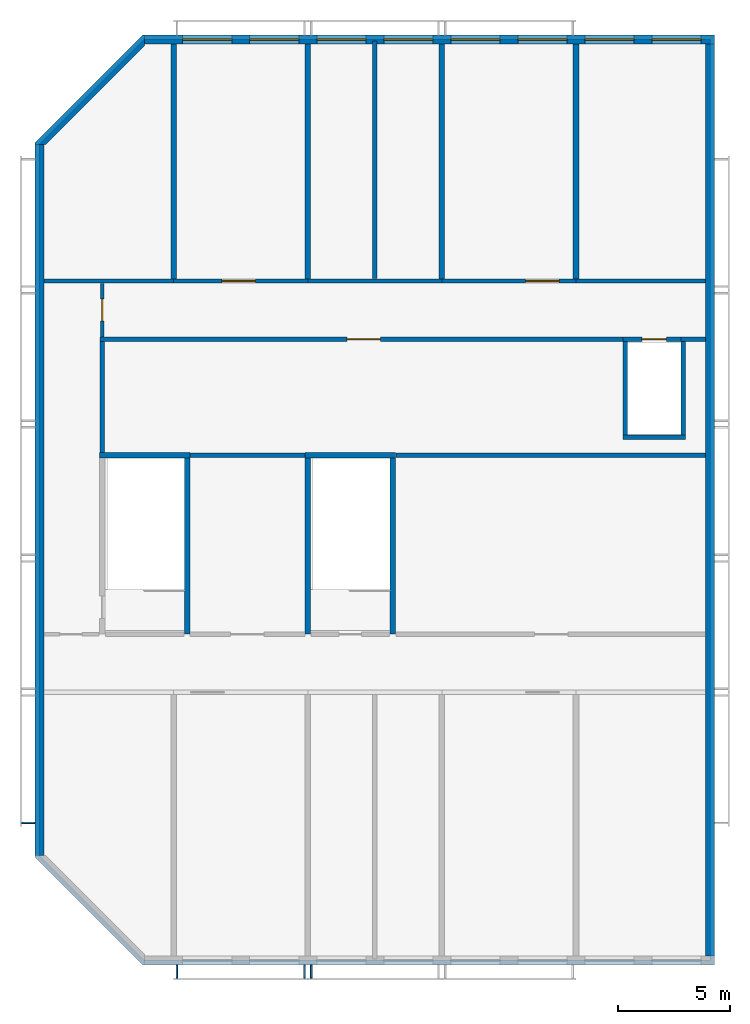
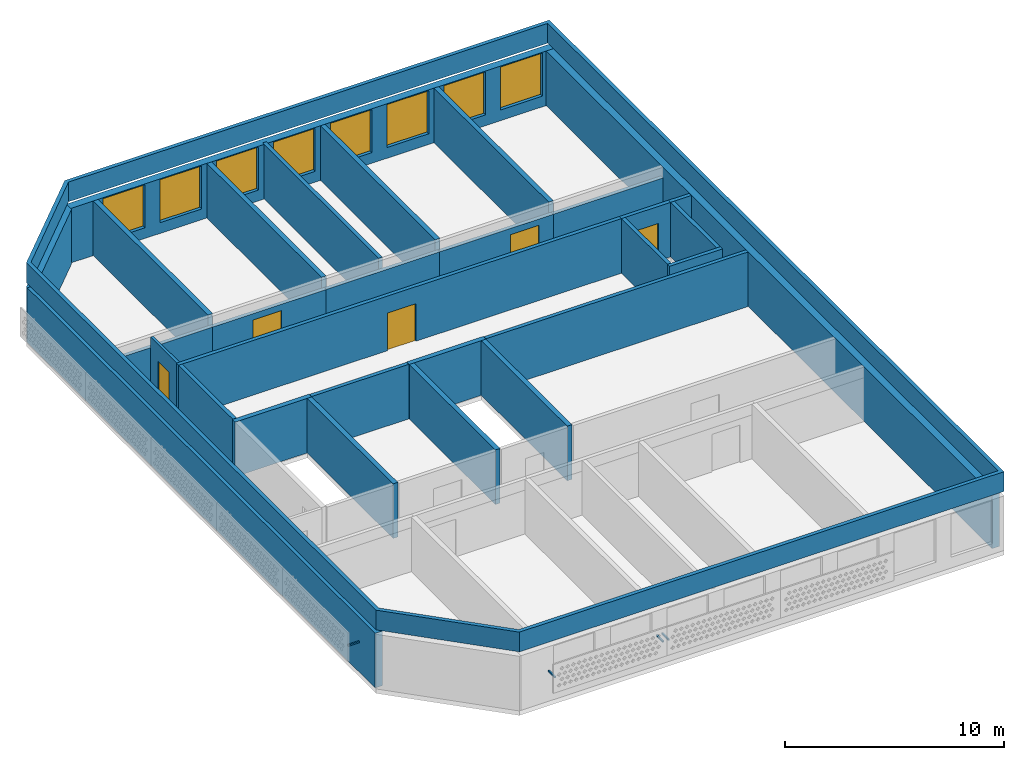
# One storey, part 2 of 7: 30 walls, 8 windows, 5 doors, 4 discrete accessories, 13 openings.
"""IFC4 building model written with IfcOpenShell, lengths in metres."""

from ifc_helpers import new_model, si_unit, direction, frame, frame_2d, origin, origin_2d, place, context, subcontext, project, spatial, polyline, rectangle, outline, extrude, source, transform, mapped, material, layer, layer_set, material_profile, profile_set, type_object, element, fill, save


model = new_model("IFC4")

# Units and contexts
model_context = context("Model", 3, precision=1e-05, world=origin(), true_north=direction((0.0, 1.0)))
body_context = subcontext(model_context, "Body", "Model", "MODEL_VIEW")
ifc_project = project(units=[si_unit("LENGTHUNIT", "METRE"), si_unit("AREAUNIT", "SQUARE_METRE"), si_unit("VOLUMEUNIT", "CUBIC_METRE"), si_unit("PLANEANGLEUNIT", "RADIAN"), si_unit("MASSUNIT", "GRAM", prefix="KILO")], contexts=[model_context])

# Site, building, storey
site_placement = place(None, origin())
site = spatial("IfcSite", under=ifc_project, at=site_placement, CompositionType="ELEMENT")
building_placement = place(site_placement, origin())
building = spatial("IfcBuilding", under=site, at=building_placement, Name="Poui Terraces", CompositionType="ELEMENT")
storey_placement = place(building_placement, frame((0.0, 0.0, 288.89990234375)))
storey = spatial("IfcBuildingStorey", under=building, at=storey_placement, Name="L80 CROWN", CompositionType="ELEMENT", Elevation=288.89990234375)

# Wall, opening, door
ifc_material_1 = material(Name="Fire-rated plasterboard wall")
ifc_layer_1 = layer(ifc_material_1, 0.14990234375)
ifc_layer_set_1 = layer_set([ifc_layer_1], Name="Fire-rated plasterboard wall")
wall_type_1 = type_object("IfcWallType", Name="CORRIDOR WALL 150", PredefinedType="PARTITIONING", material=ifc_layer_set_1)
wall_1_placement = place(storey_placement, frame((20.800048828125, 27.89990234375, 0.0), z_axis=(0.0, 0.0, 1.0), x_axis=(0.0, 1.0, 0.0)))
wall_1 = element("IfcWall", 1, at=wall_1_placement, inside=storey, type_object=wall_type_1, Name="CORRIDOR WALL 150", PredefinedType="PARTITIONING", context=body_context, shape_type="SweptSolid", body=[
    extrude(rectangle(XDim=2.39013671875, YDim=0.14990234375, at=frame_2d((1.195068359375, 0.0))), origin(), (0.0, 0.0, 1.0), 3.050048828125),
])
opening_1_placement = place(wall_1_placement, frame((0.699951171875, 0.0, 0.0)))
opening_1 = element("IfcOpeningElement", 2, at=opening_1_placement, cuts=wall_1, Name="Opening FDL", PredefinedType="OPENING", context=body_context, shape_type="SweptSolid", body=[
    extrude(rectangle(XDim=1.0, YDim=2.10009765625, at=frame_2d((0.5, 1.050048828125))), frame((0.0, 0.0849609375, 0.0), z_axis=(0.0, -1.0, 0.0), x_axis=(1.0, 0.0, 0.0)), (0.0, 0.0, 1.0), 0.169921875),
])
ifc_material_2 = material(Name="Steel fire door", Category="steel")
door_type_1 = type_object("IfcDoorType", Name="LOBBY FIRE DOOR 1000 X 2100", OperationType="NOTDEFINED", PredefinedType="DOOR", material=ifc_material_2)
door_1_placement = place(opening_1_placement, origin())
door_1 = element("IfcDoor", 3, at=door_1_placement, inside=storey, type_object=door_type_1, Name="LOBBY FIRE DOOR 011", OperationType="SINGLE_SWING_RIGHT", OverallHeight=2.10009765625, OverallWidth=1.0, PredefinedType="DOOR", context=body_context, shape_type="SweptSolid", body=[
    extrude(rectangle(XDim=1.0, YDim=2.10009765625, at=frame_2d((0.5, 1.050048828125))), frame((0.0, 0.02490234375, 0.0), z_axis=(0.0, -1.0, 0.0), x_axis=(1.0, 0.0, 0.0)), (0.0, 0.0, 1.0), 0.050048828125),
])
fill(opening_1, door_1)

# Wall
ifc_material_3 = material(Name="Concrete 50 MPa", Category="concrete")
ifc_layer_2 = layer(ifc_material_3, 0.199951171875)
ifc_layer_set_2 = layer_set([ifc_layer_2], Name="Concrete 50 MPa")
wall_type_2 = type_object("IfcWallType", Name="CORRIDOR WALL 200 50MPa", PredefinedType="SHEAR", material=ifc_layer_set_2)
wall_2_placement = place(storey_placement, frame((18.199951171875, 30.39990234375, 0.0), z_axis=(0.0, 0.0, 1.0), x_axis=(1.0, 0.0, 0.0)))
element("IfcWall", 4, at=wall_2_placement, inside=storey, type_object=wall_type_2, Name="CORRIDOR WALL LINE E BAY W1", PredefinedType="SHEAR", context=body_context, shape_type="SweptSolid", body=[
    extrude(rectangle(XDim=5.800048828125, YDim=0.199951171875, at=frame_2d((2.89990234375, 0.0))), origin(), (0.0, 0.0, 1.0), 2.4501953125),
])

# Wall, opening, door
wall_3_placement = place(storey_placement, frame((24.0, 30.39990234375, 0.0), z_axis=(0.0, 0.0, 1.0), x_axis=(1.0, 0.0, 0.0)))
wall_3 = element("IfcWall", 5, at=wall_3_placement, inside=storey, type_object=wall_type_2, Name="CORRIDOR WALL LINE E BAY W2", PredefinedType="SHEAR", context=body_context, shape_type="SweptSolid", body=[
    extrude(rectangle(XDim=6.0, YDim=0.199951171875, at=frame_2d((3.0, 0.0))), origin(), (0.0, 0.0, 1.0), 2.4501953125),
])
opening_2_placement = place(wall_3_placement, frame((2.14990234375, 0.0, 0.0)))
opening_2 = element("IfcOpeningElement", 6, at=opening_2_placement, cuts=wall_3, Name="Opening FDP", PredefinedType="OPENING", context=body_context, shape_type="SweptSolid", body=[
    extrude(rectangle(XDim=1.5, YDim=2.10009765625, at=frame_2d((0.75, 1.050048828125))), frame((0.0, 0.10986328125, 0.0), z_axis=(0.0, -1.0, 0.0), x_axis=(1.0, 0.0, 0.0)), (0.0, 0.0, 1.0), 0.219970703125),
])
door_type_2 = type_object("IfcDoorType", Name="PLANT ROOM DOOR PAIR 1500 X 2100", OperationType="DOUBLE_DOOR_SINGLE_SWING", PredefinedType="DOOR", material=ifc_material_2)
door_2_placement = place(opening_2_placement, frame((1.5, 0.0, 0.0), z_axis=(0.0, 0.0, 1.0), x_axis=(-1.0, 0.0, 0.0)))
door_2 = element("IfcDoor", 7, at=door_2_placement, inside=storey, type_object=door_type_2, Name="PLANT ROOM DOOR PAIR 001", OperationType="DOUBLE_DOOR_SINGLE_SWING", OverallHeight=2.10009765625, OverallWidth=1.5, PredefinedType="DOOR", context=body_context, shape_type="SweptSolid", body=[
    extrude(rectangle(XDim=1.5, YDim=2.10009765625, at=frame_2d((0.75, 1.050048828125))), frame((0.0, 0.02490234375, 0.0), z_axis=(0.0, -1.0, 0.0), x_axis=(1.0, 0.0, 0.0)), (0.0, 0.0, 1.0), 0.050048828125),
])
fill(opening_2, door_2)

# Wall
wall_4_placement = place(storey_placement, frame((30.0, 30.39990234375, 0.0), z_axis=(0.0, 0.0, 1.0), x_axis=(1.0, 0.0, 0.0)))
element("IfcWall", 8, at=wall_4_placement, inside=storey, type_object=wall_type_2, Name="CORRIDOR WALL LINE E BAY W3", PredefinedType="SHEAR", context=body_context, shape_type="SweptSolid", body=[
    extrude(rectangle(XDim=6.0, YDim=0.199951171875, at=frame_2d((3.0, 0.0))), origin(), (0.0, 0.0, 1.0), 2.4501953125),
])

# Wall, opening, door
wall_5_placement = place(storey_placement, frame((36.0, 30.39990234375, 0.0), z_axis=(0.0, 0.0, 1.0), x_axis=(1.0, 0.0, 0.0)))
wall_5 = element("IfcWall", 9, at=wall_5_placement, inside=storey, type_object=wall_type_2, Name="CORRIDOR WALL LINE E BAY W4", PredefinedType="SHEAR", context=body_context, shape_type="SweptSolid", body=[
    extrude(rectangle(XDim=6.0, YDim=0.199951171875, at=frame_2d((3.0, 0.0))), origin(), (0.0, 0.0, 1.0), 2.4501953125),
])
opening_3_placement = place(wall_5_placement, frame((3.75, 0.0, 0.0)))
opening_3 = element("IfcOpeningElement", 10, at=opening_3_placement, cuts=wall_5, Name="Opening FDP", PredefinedType="OPENING", context=body_context, shape_type="SweptSolid", body=[
    extrude(rectangle(XDim=1.5, YDim=2.10009765625, at=frame_2d((0.75, 1.050048828125))), frame((0.0, 0.10986328125, 0.0), z_axis=(0.0, -1.0, 0.0), x_axis=(1.0, 0.0, 0.0)), (0.0, 0.0, 1.0), 0.219970703125),
])
door_3_placement = place(opening_3_placement, frame((1.5, 0.0, 0.0), z_axis=(0.0, 0.0, 1.0), x_axis=(-1.0, 0.0, 0.0)))
door_3 = element("IfcDoor", 11, at=door_3_placement, inside=storey, type_object=door_type_2, Name="PLANT ROOM DOOR PAIR 003", OperationType="DOUBLE_DOOR_SINGLE_SWING", OverallHeight=2.10009765625, OverallWidth=1.5, PredefinedType="DOOR", context=body_context, shape_type="SweptSolid", body=[
    extrude(rectangle(XDim=1.5, YDim=2.10009765625, at=frame_2d((0.75, 1.050048828125))), frame((0.0, 0.02490234375, 0.0), z_axis=(0.0, -1.0, 0.0), x_axis=(1.0, 0.0, 0.0)), (0.0, 0.0, 1.0), 0.050048828125),
])
fill(opening_3, door_3)

# Walls
wall_6_placement = place(storey_placement, frame((42.0, 30.39990234375, 0.0), z_axis=(0.0, 0.0, 1.0), x_axis=(1.0, 0.0, 0.0)))
element("IfcWall", 12, at=wall_6_placement, inside=storey, type_object=wall_type_2, Name="CORRIDOR WALL LINE E BAY W5", PredefinedType="SHEAR", context=body_context, shape_type="SweptSolid", body=[
    extrude(rectangle(XDim=5.800048828125, YDim=0.199951171875, at=frame_2d((2.89990234375, 0.0))), origin(), (0.0, 0.0, 1.0), 2.4501953125),
])
ifc_layer_3 = layer(ifc_material_3, 0.25)
ifc_layer_set_3 = layer_set([ifc_layer_3], Name="Concrete 50 MPa")
wall_type_3 = type_object("IfcWallType", Name="CROSS WALL 250 50MPa", PredefinedType="SHEAR", material=ifc_layer_set_3)
for number, where, z_axis, x_axis, name in (
    (13, (24.0, 30.5, 0.0), (0.0, 0.0, 1.0), (0.0, 1.0, 0.0), "CROSS WALL LINE 5 NORTH"),
    (14, (30.0, 30.5, 0.0), (0.0, 0.0, 1.0), (0.0, 1.0, 0.0), "CROSS WALL LINE 6 NORTH"),
    (15, (36.0, 30.5, 0.0), (0.0, 0.0, 1.0), (0.0, 1.0, 0.0), "CROSS WALL LINE 7 NORTH"),
    (16, (42.0, 30.5, 0.0), (0.0, 0.0, 1.0), (0.0, 1.0, 0.0), "CROSS WALL LINE 8 NORTH"),
):
    element("IfcWall", number, at=place(storey_placement, frame(where, z_axis=z_axis, x_axis=x_axis)), inside=storey, type_object=wall_type_3, Name=name, PredefinedType="SHEAR", context=body_context, shape_type="SweptSolid", body=[
        extrude(rectangle(XDim=10.5, YDim=0.25, at=frame_2d((5.25, 0.0))), origin(), (0.0, 0.0, 1.0), 3.050048828125),
    ])
ifc_layer_4 = layer(ifc_material_3, 0.39990234375)
ifc_layer_set_4 = layer_set([ifc_layer_4], Name="Concrete 50 MPa")
wall_type_4 = type_object("IfcWallType", Name="END WALL 400 50MPa", PredefinedType="SHEAR", material=ifc_layer_set_4)
wall_7_placement = place(storey_placement, frame((18.0, 4.682861328125, 0.0), z_axis=(0.0, 0.0, 1.0), x_axis=(0.0, 1.0, 0.0)))
element("IfcWall", 17, at=wall_7_placement, inside=storey, type_object=wall_type_4, Name="END WALL LINE 4", PredefinedType="SHEAR", context=body_context, shape_type="SweptSolid", body=[
    extrude(rectangle(XDim=31.834228515625, YDim=0.39990234375, at=frame_2d((15.9169921875, 0.0))), origin(), (0.0, 0.0, 1.0), 3.050048828125),
])
wall_8_placement = place(storey_placement, frame((48.0, 0.199951171875, 0.0), z_axis=(0.0, 0.0, 1.0), x_axis=(0.0, 1.0, 0.0)))
element("IfcWall", 18, at=wall_8_placement, inside=storey, type_object=wall_type_4, Name="END WALL LINE 9", PredefinedType="SHEAR", context=body_context, shape_type="SweptSolid", body=[
    extrude(rectangle(XDim=40.800048828125, YDim=0.39990234375, at=frame_2d((20.39990234375, 0.0))), origin(), (0.0, 0.0, 1.0), 3.050048828125),
])

# Wall, openings, windows
ifc_material_4 = material(Name="Precast concrete 40 MPa", Category="concrete")
ifc_layer_5 = layer(ifc_material_4, 0.39990234375)
ifc_layer_set_5 = layer_set([ifc_layer_5], Name="Precast concrete 40 MPa")
wall_type_5 = type_object("IfcWallType", Name="EXTERNAL WALL 400", PredefinedType="STANDARD", material=ifc_layer_set_5)
wall_9_placement = place(storey_placement, frame((48.199951171875, 41.199951171875, 0.0), z_axis=(0.0, 0.0, 1.0), x_axis=(-1.0, 0.0, 0.0)))
wall_9 = element("IfcWall", 19, at=wall_9_placement, inside=storey, type_object=wall_type_5, Name="EXTERNAL WALL N", PredefinedType="STANDARD", context=body_context, shape_type="SweptSolid", body=[
    extrude(rectangle(XDim=25.51708984375, YDim=0.39990234375, at=frame_2d((12.758544921875, 0.0))), origin(), (0.0, 0.0, 1.0), 3.050048828125),
])
opening_4_placement = place(wall_9_placement, frame((21.60009765625, 0.0, 0.60009765625)))
opening_4 = element("IfcOpeningElement", 20, at=opening_4_placement, cuts=wall_9, Name="Opening W5", PredefinedType="OPENING", context=body_context, shape_type="SweptSolid", body=[
    extrude(rectangle(XDim=2.199951171875, YDim=2.39990234375, at=frame_2d((1.10009765625, 1.199951171875))), frame((0.0, 0.2099609375, 0.0), z_axis=(0.0, -1.0, 0.0), x_axis=(1.0, 0.0, 0.0)), (0.0, 0.0, 1.0), 0.419921875),
])
opening_5_placement = place(wall_9_placement, frame((18.60009765625, 0.0, 0.60009765625)))
opening_5 = element("IfcOpeningElement", 21, at=opening_5_placement, cuts=wall_9, Name="Opening W5", PredefinedType="OPENING", context=body_context, shape_type="SweptSolid", body=[
    extrude(rectangle(XDim=2.199951171875, YDim=2.39990234375, at=frame_2d((1.10009765625, 1.199951171875))), frame((0.0, 0.2099609375, 0.0), z_axis=(0.0, -1.0, 0.0), x_axis=(1.0, 0.0, 0.0)), (0.0, 0.0, 1.0), 0.419921875),
])
opening_6_placement = place(wall_9_placement, frame((15.60009765625, 0.0, 0.60009765625)))
opening_6 = element("IfcOpeningElement", 22, at=opening_6_placement, cuts=wall_9, Name="Opening W5", PredefinedType="OPENING", context=body_context, shape_type="SweptSolid", body=[
    extrude(rectangle(XDim=2.199951171875, YDim=2.39990234375, at=frame_2d((1.10009765625, 1.199951171875))), frame((0.0, 0.2099609375, 0.0), z_axis=(0.0, -1.0, 0.0), x_axis=(1.0, 0.0, 0.0)), (0.0, 0.0, 1.0), 0.419921875),
])
opening_7_placement = place(wall_9_placement, frame((12.60009765625, 0.0, 0.60009765625)))
opening_7 = element("IfcOpeningElement", 23, at=opening_7_placement, cuts=wall_9, Name="Opening W5", PredefinedType="OPENING", context=body_context, shape_type="SweptSolid", body=[
    extrude(rectangle(XDim=2.199951171875, YDim=2.39990234375, at=frame_2d((1.10009765625, 1.199951171875))), frame((0.0, 0.2099609375, 0.0), z_axis=(0.0, -1.0, 0.0), x_axis=(1.0, 0.0, 0.0)), (0.0, 0.0, 1.0), 0.419921875),
])
opening_8_placement = place(wall_9_placement, frame((9.60009765625, 0.0, 0.60009765625)))
opening_8 = element("IfcOpeningElement", 24, at=opening_8_placement, cuts=wall_9, Name="Opening W5", PredefinedType="OPENING", context=body_context, shape_type="SweptSolid", body=[
    extrude(rectangle(XDim=2.199951171875, YDim=2.39990234375, at=frame_2d((1.10009765625, 1.199951171875))), frame((0.0, 0.2099609375, 0.0), z_axis=(0.0, -1.0, 0.0), x_axis=(1.0, 0.0, 0.0)), (0.0, 0.0, 1.0), 0.419921875),
])
opening_9_placement = place(wall_9_placement, frame((6.60009765625, 0.0, 0.60009765625)))
opening_9 = element("IfcOpeningElement", 25, at=opening_9_placement, cuts=wall_9, Name="Opening W5", PredefinedType="OPENING", context=body_context, shape_type="SweptSolid", body=[
    extrude(rectangle(XDim=2.199951171875, YDim=2.39990234375, at=frame_2d((1.10009765625, 1.199951171875))), frame((0.0, 0.2099609375, 0.0), z_axis=(0.0, -1.0, 0.0), x_axis=(1.0, 0.0, 0.0)), (0.0, 0.0, 1.0), 0.419921875),
])
opening_10_placement = place(wall_9_placement, frame((3.60009765625, 0.0, 0.60009765625)))
opening_10 = element("IfcOpeningElement", 26, at=opening_10_placement, cuts=wall_9, Name="Opening W5", PredefinedType="OPENING", context=body_context, shape_type="SweptSolid", body=[
    extrude(rectangle(XDim=2.199951171875, YDim=2.39990234375, at=frame_2d((1.10009765625, 1.199951171875))), frame((0.0, 0.2099609375, 0.0), z_axis=(0.0, -1.0, 0.0), x_axis=(1.0, 0.0, 0.0)), (0.0, 0.0, 1.0), 0.419921875),
])
opening_11_placement = place(wall_9_placement, frame((0.60009765625, 0.0, 0.60009765625)))
opening_11 = element("IfcOpeningElement", 27, at=opening_11_placement, cuts=wall_9, Name="Opening W5", PredefinedType="OPENING", context=body_context, shape_type="SweptSolid", body=[
    extrude(rectangle(XDim=2.199951171875, YDim=2.39990234375, at=frame_2d((1.10009765625, 1.199951171875))), frame((0.0, 0.2099609375, 0.0), z_axis=(0.0, -1.0, 0.0), x_axis=(1.0, 0.0, 0.0)), (0.0, 0.0, 1.0), 0.419921875),
])
ifc_material_5 = material(Name="Clear glass in aluminium frame", Category="aluminium")
window_type = type_object("IfcWindowType", Name="WINDOW 2200X2400", PartitioningType="TRIPLE_PANEL_HORIZONTAL", PredefinedType="WINDOW", material=ifc_material_5)
window_1_placement = place(opening_4_placement, origin())
window_1 = element("IfcWindow", 28, at=window_1_placement, inside=storey, type_object=window_type, Name="W5 WINDOW", OverallHeight=2.39990234375, OverallWidth=2.199951171875, PartitioningType="TRIPLE_PANEL_HORIZONTAL", PredefinedType="WINDOW", context=body_context, shape_type="SweptSolid", body=[
    extrude(rectangle(XDim=2.199951171875, YDim=2.39990234375, at=frame_2d((1.10009765625, 1.199951171875))), frame((0.0, 0.030029296875, 0.0), z_axis=(0.0, -1.0, 0.0), x_axis=(1.0, 0.0, 0.0)), (0.0, 0.0, 1.0), 0.06005859375),
])
fill(opening_4, window_1)
window_2_placement = place(opening_5_placement, origin())
window_2 = element("IfcWindow", 29, at=window_2_placement, inside=storey, type_object=window_type, Name="W5 WINDOW", OverallHeight=2.39990234375, OverallWidth=2.199951171875, PartitioningType="TRIPLE_PANEL_HORIZONTAL", PredefinedType="WINDOW", context=body_context, shape_type="SweptSolid", body=[
    extrude(rectangle(XDim=2.199951171875, YDim=2.39990234375, at=frame_2d((1.10009765625, 1.199951171875))), frame((0.0, 0.030029296875, 0.0), z_axis=(0.0, -1.0, 0.0), x_axis=(1.0, 0.0, 0.0)), (0.0, 0.0, 1.0), 0.06005859375),
])
fill(opening_5, window_2)
window_3_placement = place(opening_6_placement, origin())
window_3 = element("IfcWindow", 30, at=window_3_placement, inside=storey, type_object=window_type, Name="W5 WINDOW", OverallHeight=2.39990234375, OverallWidth=2.199951171875, PartitioningType="TRIPLE_PANEL_HORIZONTAL", PredefinedType="WINDOW", context=body_context, shape_type="SweptSolid", body=[
    extrude(rectangle(XDim=2.199951171875, YDim=2.39990234375, at=frame_2d((1.10009765625, 1.199951171875))), frame((0.0, 0.030029296875, 0.0), z_axis=(0.0, -1.0, 0.0), x_axis=(1.0, 0.0, 0.0)), (0.0, 0.0, 1.0), 0.06005859375),
])
fill(opening_6, window_3)
window_4_placement = place(opening_7_placement, origin())
window_4 = element("IfcWindow", 31, at=window_4_placement, inside=storey, type_object=window_type, Name="W5 WINDOW", OverallHeight=2.39990234375, OverallWidth=2.199951171875, PartitioningType="TRIPLE_PANEL_HORIZONTAL", PredefinedType="WINDOW", context=body_context, shape_type="SweptSolid", body=[
    extrude(rectangle(XDim=2.199951171875, YDim=2.39990234375, at=frame_2d((1.10009765625, 1.199951171875))), frame((0.0, 0.030029296875, 0.0), z_axis=(0.0, -1.0, 0.0), x_axis=(1.0, 0.0, 0.0)), (0.0, 0.0, 1.0), 0.06005859375),
])
fill(opening_7, window_4)
window_5_placement = place(opening_8_placement, origin())
window_5 = element("IfcWindow", 32, at=window_5_placement, inside=storey, type_object=window_type, Name="W5 WINDOW", OverallHeight=2.39990234375, OverallWidth=2.199951171875, PartitioningType="TRIPLE_PANEL_HORIZONTAL", PredefinedType="WINDOW", context=body_context, shape_type="SweptSolid", body=[
    extrude(rectangle(XDim=2.199951171875, YDim=2.39990234375, at=frame_2d((1.10009765625, 1.199951171875))), frame((0.0, 0.030029296875, 0.0), z_axis=(0.0, -1.0, 0.0), x_axis=(1.0, 0.0, 0.0)), (0.0, 0.0, 1.0), 0.06005859375),
])
fill(opening_8, window_5)
window_6_placement = place(opening_9_placement, origin())
window_6 = element("IfcWindow", 33, at=window_6_placement, inside=storey, type_object=window_type, Name="W5 WINDOW", OverallHeight=2.39990234375, OverallWidth=2.199951171875, PartitioningType="TRIPLE_PANEL_HORIZONTAL", PredefinedType="WINDOW", context=body_context, shape_type="SweptSolid", body=[
    extrude(rectangle(XDim=2.199951171875, YDim=2.39990234375, at=frame_2d((1.10009765625, 1.199951171875))), frame((0.0, 0.030029296875, 0.0), z_axis=(0.0, -1.0, 0.0), x_axis=(1.0, 0.0, 0.0)), (0.0, 0.0, 1.0), 0.06005859375),
])
fill(opening_9, window_6)
window_7_placement = place(opening_10_placement, origin())
window_7 = element("IfcWindow", 34, at=window_7_placement, inside=storey, type_object=window_type, Name="W5 WINDOW", OverallHeight=2.39990234375, OverallWidth=2.199951171875, PartitioningType="TRIPLE_PANEL_HORIZONTAL", PredefinedType="WINDOW", context=body_context, shape_type="SweptSolid", body=[
    extrude(rectangle(XDim=2.199951171875, YDim=2.39990234375, at=frame_2d((1.10009765625, 1.199951171875))), frame((0.0, 0.030029296875, 0.0), z_axis=(0.0, -1.0, 0.0), x_axis=(1.0, 0.0, 0.0)), (0.0, 0.0, 1.0), 0.06005859375),
])
fill(opening_10, window_7)
window_8_placement = place(opening_11_placement, origin())
window_8 = element("IfcWindow", 35, at=window_8_placement, inside=storey, type_object=window_type, Name="W5 WINDOW", OverallHeight=2.39990234375, OverallWidth=2.199951171875, PartitioningType="TRIPLE_PANEL_HORIZONTAL", PredefinedType="WINDOW", context=body_context, shape_type="SweptSolid", body=[
    extrude(rectangle(XDim=2.199951171875, YDim=2.39990234375, at=frame_2d((1.10009765625, 1.199951171875))), frame((0.0, 0.030029296875, 0.0), z_axis=(0.0, -1.0, 0.0), x_axis=(1.0, 0.0, 0.0)), (0.0, 0.0, 1.0), 0.06005859375),
])
fill(opening_11, window_8)

# Walls
ifc_material_6 = material(Name="Fire-rated masonry wall", Category="masonry")
ifc_layer_6 = layer(ifc_material_6, 0.199951171875)
ifc_layer_set_6 = layer_set([ifc_layer_6], Name="Fire-rated masonry wall")
wall_type_6 = type_object("IfcWallType", Name="PLANT ROOM WALL 200", PredefinedType="PARTITIONING", material=ifc_layer_set_6)
wall_10_placement = place(storey_placement, frame((24.735107421875, 22.60009765625, 0.0), z_axis=(0.0, 0.0, 1.0), x_axis=(1.0, 0.0, 0.0)))
element("IfcWall", 36, at=wall_10_placement, inside=storey, type_object=wall_type_6, Name="PLANT ROOM WALL 200", PredefinedType="PARTITIONING", context=body_context, shape_type="SweptSolid", body=[
    extrude(rectangle(XDim=5.1298828125, YDim=0.199951171875, at=frame_2d((2.56494140625, 0.0))), origin(), (0.0, 0.0, 1.0), 3.050048828125),
])
wall_11_placement = place(storey_placement, frame((33.93505859375, 22.60009765625, 0.0), z_axis=(0.0, 0.0, 1.0), x_axis=(1.0, 0.0, 0.0)))
element("IfcWall", 37, at=wall_11_placement, inside=storey, type_object=wall_type_6, Name="PLANT ROOM WALL 200", PredefinedType="PARTITIONING", context=body_context, shape_type="SweptSolid", body=[
    extrude(rectangle(XDim=13.85498046875, YDim=0.199951171875, at=frame_2d((6.927490234375, 0.0))), origin(), (0.0, 0.0, 1.0), 3.050048828125),
])

# Wall, opening, door
wall_12_placement = place(storey_placement, frame((20.699951171875, 27.800048828125, 0.0), z_axis=(0.0, 0.0, 1.0), x_axis=(1.0, 0.0, 0.0)))
wall_12 = element("IfcWall", 38, at=wall_12_placement, inside=storey, type_object=wall_type_6, Name="PLANT ROOM WALL 200", PredefinedType="PARTITIONING", context=body_context, shape_type="SweptSolid", body=[
    extrude(rectangle(XDim=23.60009765625, YDim=0.199951171875, at=frame_2d((11.800048828125, 0.0))), origin(), (0.0, 0.0, 1.0), 3.050048828125),
])
opening_12_placement = place(wall_12_placement, frame((11.050048828125, 0.0, 0.0)))
opening_12 = element("IfcOpeningElement", 39, at=opening_12_placement, cuts=wall_12, Name="Opening FDP", PredefinedType="OPENING", context=body_context, shape_type="SweptSolid", body=[
    extrude(rectangle(XDim=1.5, YDim=2.10009765625, at=frame_2d((0.75, 1.050048828125))), frame((0.0, 0.10986328125, 0.0), z_axis=(0.0, -1.0, 0.0), x_axis=(1.0, 0.0, 0.0)), (0.0, 0.0, 1.0), 0.219970703125),
])
door_4_placement = place(opening_12_placement, origin())
door_4 = element("IfcDoor", 40, at=door_4_placement, inside=storey, type_object=door_type_2, Name="PLANT ROOM DOOR PAIR 002", OperationType="DOUBLE_DOOR_SINGLE_SWING", OverallHeight=2.10009765625, OverallWidth=1.5, PredefinedType="DOOR", context=body_context, shape_type="SweptSolid", body=[
    extrude(rectangle(XDim=1.5, YDim=2.10009765625, at=frame_2d((0.75, 1.050048828125))), frame((0.0, 0.02490234375, 0.0), z_axis=(0.0, -1.0, 0.0), x_axis=(1.0, 0.0, 0.0)), (0.0, 0.0, 1.0), 0.050048828125),
])
fill(opening_12, door_4)

# Walls
wall_13_placement = place(storey_placement, frame((46.699951171875, 27.800048828125, 0.0), z_axis=(0.0, 0.0, 1.0), x_axis=(1.0, 0.0, 0.0)))
element("IfcWall", 41, at=wall_13_placement, inside=storey, type_object=wall_type_6, Name="PLANT ROOM WALL 200", PredefinedType="PARTITIONING", context=body_context, shape_type="SweptSolid", body=[
    extrude(rectangle(XDim=1.090087890625, YDim=0.199951171875, at=frame_2d((0.544921875, 0.0))), origin(), (0.0, 0.0, 1.0), 3.050048828125),
])
wall_14_placement = place(storey_placement, frame((20.800048828125, 22.735107421875, 0.0), z_axis=(0.0, 0.0, 1.0), x_axis=(0.0, 1.0, 0.0)))
element("IfcWall", 42, at=wall_14_placement, inside=storey, type_object=wall_type_6, Name="PLANT ROOM WALL 200", PredefinedType="PARTITIONING", context=body_context, shape_type="SweptSolid", body=[
    extrude(rectangle(XDim=4.96484375, YDim=0.199951171875, at=frame_2d((2.482421875, 0.0))), origin(), (0.0, 0.0, 1.0), 3.050048828125),
])
wall_15_placement = place(storey_placement, frame((33.0, 30.510009765625, 0.0), z_axis=(0.0, 0.0, 1.0), x_axis=(0.0, 1.0, 0.0)))
element("IfcWall", 43, at=wall_15_placement, inside=storey, type_object=wall_type_6, Name="PLANT ROOM WALL 200", PredefinedType="PARTITIONING", context=body_context, shape_type="SweptSolid", body=[
    extrude(rectangle(XDim=10.6298828125, YDim=0.199951171875, at=frame_2d((5.31494140625, 0.0))), origin(), (0.0, 0.0, 1.0), 3.050048828125),
])
ifc_layer_7 = layer(ifc_material_4, 0.199951171875)
ifc_layer_set_7 = layer_set([ifc_layer_7], Name="Precast concrete 40 MPa")
wall_type_7 = type_object("IfcWallType", Name="ROOF PARAPET 200", PredefinedType="PARAPET", material=ifc_layer_set_7)
wall_16_placement = place(storey_placement, frame((0.0, 0.0, 3.300048828125)))
element("IfcWall", 44, at=wall_16_placement, inside=storey, type_object=wall_type_7, Name="ROOF PARAPET WEST PEAK", PredefinedType="PARAPET", context=body_context, shape_type="SweptSolid", body=[
    extrude(outline(polyline([(22.60009765625, -0.199951171875), (48.199951171875, -0.199951171875), (48.199951171875, 41.39990234375), (22.60009765625, 41.39990234375), (17.800048828125, 36.60009765625), (17.800048828125, 4.60009765625), (22.60009765625, -0.199951171875)]), holes=[polyline([(22.682861328125, 0.0), (18.0, 4.682861328125), (18.0, 36.51708984375), (22.682861328125, 41.199951171875), (48.0, 41.199951171875), (48.0, 0.0), (22.682861328125, 0.0)])]), origin(), (0.0, 0.0, 1.0), 1.10009765625),
])
ifc_material_7 = material(Name="Fire-rated masonry shaft wall", Category="masonry")
ifc_layer_8 = layer(ifc_material_7, 0.199951171875)
ifc_layer_set_8 = layer_set([ifc_layer_8], Name="Fire-rated masonry shaft wall")
wall_type_8 = type_object("IfcWallType", Name="SHAFT WALL 200", PredefinedType="PARTITIONING", material=ifc_layer_set_8)
wall_17_placement = place(storey_placement, frame((44.10009765625, 23.39990234375, 0.0), z_axis=(0.0, 0.0, 1.0), x_axis=(1.0, 0.0, 0.0)))
element("IfcWall", 45, at=wall_17_placement, inside=storey, type_object=wall_type_8, Name="SHAFT WALL 200", PredefinedType="PARTITIONING", context=body_context, shape_type="SweptSolid", body=[
    extrude(rectangle(XDim=2.7998046875, YDim=0.199951171875, at=frame_2d((1.39990234375, 0.0))), origin(), (0.0, 0.0, 1.0), 3.050048828125),
])

# Wall, opening, door
wall_18_placement = place(storey_placement, frame((44.10009765625, 27.800048828125, 0.0), z_axis=(0.0, 0.0, 1.0), x_axis=(1.0, 0.0, 0.0)))
wall_18 = element("IfcWall", 46, at=wall_18_placement, inside=storey, type_object=wall_type_8, Name="SHAFT WALL 200", PredefinedType="PARTITIONING", context=body_context, shape_type="SweptSolid", body=[
    extrude(rectangle(XDim=2.7998046875, YDim=0.199951171875, at=frame_2d((1.39990234375, 0.0))), origin(), (0.0, 0.0, 1.0), 3.050048828125),
])
opening_13_placement = place(wall_18_placement, frame((0.85009765625, 0.0, 0.0)))
opening_13 = element("IfcOpeningElement", 47, at=opening_13_placement, cuts=wall_18, Name="Opening LD", PredefinedType="OPENING", context=body_context, shape_type="SweptSolid", body=[
    extrude(rectangle(XDim=1.10009765625, YDim=2.10009765625, at=frame_2d((0.550048828125, 1.050048828125))), frame((0.0, 0.10986328125, 0.0), z_axis=(0.0, -1.0, 0.0), x_axis=(1.0, 0.0, 0.0)), (0.0, 0.0, 1.0), 0.219970703125),
])
ifc_material_8 = material(Name="Stainless steel sliding door", Category="steel")
door_type_3 = type_object("IfcDoorType", Name="LIFT LANDING DOOR 1100 X 2100", OperationType="DOUBLE_DOOR_SLIDING", PredefinedType="DOOR", material=ifc_material_8)
door_5_placement = place(opening_13_placement, origin())
door_5 = element("IfcDoor", 48, at=door_5_placement, inside=storey, type_object=door_type_3, Name="LANDING DOOR", OperationType="DOUBLE_DOOR_SLIDING", OverallHeight=2.10009765625, OverallWidth=1.10009765625, PredefinedType="DOOR", context=body_context, shape_type="SweptSolid", body=[
    extrude(rectangle(XDim=1.10009765625, YDim=2.10009765625, at=frame_2d((0.550048828125, 1.050048828125))), frame((0.0, 0.02490234375, 0.0), z_axis=(0.0, -1.0, 0.0), x_axis=(1.0, 0.0, 0.0)), (0.0, 0.0, 1.0), 0.050048828125),
])
fill(opening_13, door_5)

# Walls
for number, where, z_axis, x_axis, name in (
    (49, (44.199951171875, 23.5, 0.0), (0.0, 0.0, 1.0), (0.0, 1.0, 0.0), "SHAFT WALL 200"),
    (50, (46.800048828125, 23.5, 0.0), (0.0, 0.0, 1.0), (0.0, 1.0, 0.0), "SHAFT WALL 200"),
):
    element("IfcWall", number, at=place(storey_placement, frame(where, z_axis=z_axis, x_axis=x_axis)), inside=storey, type_object=wall_type_8, Name=name, PredefinedType="PARTITIONING", context=body_context, shape_type="SweptSolid", body=[
        extrude(rectangle(XDim=4.199951171875, YDim=0.199951171875, at=frame_2d((2.10009765625, 0.0))), origin(), (0.0, 0.0, 1.0), 3.050048828125),
    ])
ifc_layer_9 = layer(ifc_material_3, 0.25)
ifc_layer_set_9 = layer_set([ifc_layer_9], Name="Concrete 50 MPa")
wall_type_9 = type_object("IfcWallType", Name="STAIR CORE WALL 250 50 MPA", PredefinedType="SOLIDWALL", material=ifc_layer_set_9)
wall_19_placement = place(storey_placement, frame((24.60009765625, 14.60009765625, 0.0), z_axis=(0.0, 0.0, 1.0), x_axis=(0.0, 1.0, 0.0)))
element("IfcWall", 51, at=wall_19_placement, inside=storey, type_object=wall_type_9, Name="STAIR CORE WALL", PredefinedType="SOLIDWALL", context=body_context, shape_type="SweptSolid", body=[
    extrude(rectangle(XDim=7.875, YDim=0.25, at=frame_2d((3.9375, 0.0))), origin(), (0.0, 0.0, 1.0), 3.050048828125),
])
wall_20_placement = place(storey_placement, frame((20.675048828125, 22.60009765625, 0.0), z_axis=(0.0, 0.0, 1.0), x_axis=(1.0, 0.0, 0.0)))
element("IfcWall", 52, at=wall_20_placement, inside=storey, type_object=wall_type_9, Name="STAIR CORE WALL", PredefinedType="SOLIDWALL", context=body_context, shape_type="SweptSolid", body=[
    extrude(rectangle(XDim=4.050048828125, YDim=0.25, at=frame_2d((2.02490234375, 0.0))), origin(), (0.0, 0.0, 1.0), 3.050048828125),
])
for number, where, z_axis, x_axis, name in (
    (53, (30.0, 14.60009765625, 0.0), (0.0, 0.0, 1.0), (0.0, 1.0, 0.0), "STAIR CORE WALL"),
    (54, (33.800048828125, 14.60009765625, 0.0), (0.0, 0.0, 1.0), (0.0, 1.0, 0.0), "STAIR CORE WALL"),
):
    element("IfcWall", number, at=place(storey_placement, frame(where, z_axis=z_axis, x_axis=x_axis)), inside=storey, type_object=wall_type_9, Name=name, PredefinedType="SOLIDWALL", context=body_context, shape_type="SweptSolid", body=[
        extrude(rectangle(XDim=7.875, YDim=0.25, at=frame_2d((3.9375, 0.0))), origin(), (0.0, 0.0, 1.0), 3.050048828125),
    ])
wall_21_placement = place(storey_placement, frame((29.875, 22.60009765625, 0.0), z_axis=(0.0, 0.0, 1.0), x_axis=(1.0, 0.0, 0.0)))
element("IfcWall", 55, at=wall_21_placement, inside=storey, type_object=wall_type_9, Name="STAIR CORE WALL", PredefinedType="SOLIDWALL", context=body_context, shape_type="SweptSolid", body=[
    extrude(rectangle(XDim=4.050048828125, YDim=0.25, at=frame_2d((2.02490234375, 0.0))), origin(), (0.0, 0.0, 1.0), 3.050048828125),
])
ifc_layer_10 = layer(ifc_material_4, 0.39990234375)
ifc_layer_set_10 = layer_set([ifc_layer_10], Name="Precast concrete 40 MPa")
wall_type_10 = type_object("IfcWallType", Name="TERRACOTTA CLAD CHAMFER WALL 400", PredefinedType="STANDARD", material=ifc_layer_set_10)
wall_22_placement = place(storey_placement, origin())
element("IfcWall", 56, at=wall_22_placement, inside=storey, type_object=wall_type_10, Name="CHAMFER WALL CH03", PredefinedType="STANDARD", context=body_context, shape_type="SweptSolid", body=[
    extrude(outline(polyline([(22.682861328125, 41.39990234375), (22.60009765625, 41.39990234375), (17.800048828125, 36.60009765625), (17.800048828125, 36.51708984375), (18.28271484375, 36.51708984375), (22.682861328125, 40.917236328125), (22.682861328125, 41.39990234375)])), origin(), (0.0, 0.0, 1.0), 3.050048828125),
])

# Discrete accessories
ifc_material_9 = material(Name="Galvanised steel", Category="steel")
ifc_material_profile = material_profile(ifc_material_9, rectangle(XDim=0.080078125, YDim=0.080078125, at=origin_2d()), Name="SCREEN BRACKET 80")
ifc_profile_set = profile_set([ifc_material_profile], Name="Galvanised steel")
discrete_accessory_type = type_object("IfcDiscreteAccessoryType", Name="SCREEN BRACKET 80", PredefinedType="BRACKET", material=ifc_profile_set)
shared_shape = source(origin(), body_context, "Body", "SweptSolid", [
    extrude(rectangle(XDim=0.080078125, YDim=0.080078125, at=origin_2d()), origin(), (0.0, 0.0, 1.0), 0.60009765625),
])
for number, where, z_axis, x_axis, name in (
    (57, (24.14990234375, -0.199951171875, 1.7001953125), (0.0, -1.0, 0.0), (1.0, 0.0, 0.0), "SCREEN BRACKET"),
    (58, (29.85009765625, -0.199951171875, 1.7001953125), (0.0, -1.0, 0.0), (1.0, 0.0, 0.0), "SCREEN BRACKET"),
    (59, (30.14990234375, -0.199951171875, 1.7001953125), (0.0, -1.0, 0.0), (1.0, 0.0, 0.0), "SCREEN BRACKET"),
    (60, (17.800048828125, 6.14990234375, 1.7001953125), (-1.0, 0.0, 0.0), (0.0, -1.0, 0.0), "SCREEN BRACKET"),
):
    element("IfcDiscreteAccessory", number, at=place(storey_placement, frame(where, z_axis=z_axis, x_axis=x_axis)), inside=storey, type_object=discrete_accessory_type, Name=name, PredefinedType="BRACKET", context=body_context, shape_type="MappedRepresentation", body=[
        mapped(shared_shape, transform((0.0, 0.0, 0.0))),
    ])

save(model, "model.ifc")
